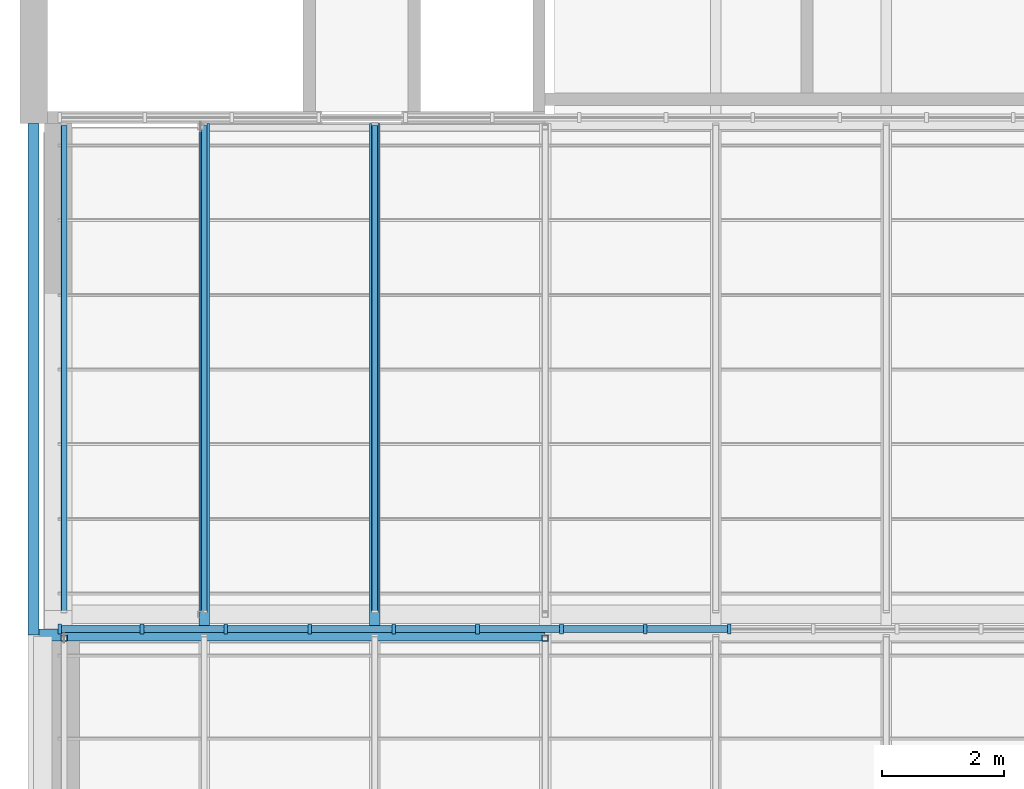
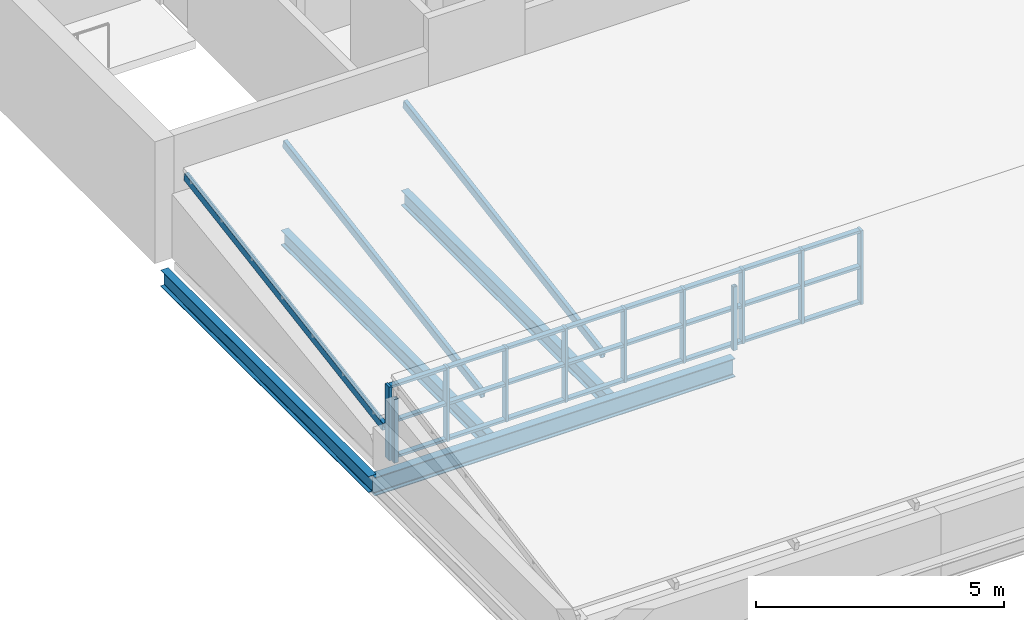
# One storey, part 2 of 33: 38 members, 4 beams, 1 element without a shape of its own.
"""IFC4 building model written with IfcOpenShell, lengths in metres."""

from ifc_helpers import new_model, si_unit, direction, frame, origin, origin_2d, place, context, subcontext, project, spatial, rectangle, hollow_rectangle, i_section, extrude, material, layer, layer_set, material_profile, profile_set, type_object, element, aggregate, save


model = new_model("IFC4")

# Units and contexts
model_context = context("Model", 3, precision=1e-05, world=origin(), true_north=direction((0.0, 1.0)))
body_context = subcontext(model_context, "Body", "Model", "MODEL_VIEW")
ifc_project = project(units=[si_unit("LENGTHUNIT", "METRE"), si_unit("AREAUNIT", "SQUARE_METRE"), si_unit("VOLUMEUNIT", "CUBIC_METRE"), si_unit("PLANEANGLEUNIT", "RADIAN"), si_unit("MASSUNIT", "GRAM", prefix="KILO")], contexts=[model_context])

# Site, building, storey
site_placement = place(None, origin())
site = spatial("IfcSite", under=ifc_project, at=site_placement, CompositionType="ELEMENT")
building_placement = place(site_placement, origin())
building = spatial("IfcBuilding", under=site, at=building_placement, Name="Ardhachandra Cancer Care Centre", CompositionType="ELEMENT")
storey_placement = place(building_placement, frame((0.0, 0.0, 27.0)))
storey = spatial("IfcBuildingStorey", under=building, at=storey_placement, Name="Roof", CompositionType="ELEMENT", Elevation=27.0)

# Beams
ifc_material_1 = material(Name="Steel E350 (IS 2062)", Category="steel")
ifc_material_profile_1 = material_profile(ifc_material_1, i_section(OverallWidth=0.172119140625, OverallDepth=0.364013671875, WebThickness=0.00927734375, FlangeThickness=0.0146484375, FilletRadius=0.01806640625, at=origin_2d()), Name="NPB 350x170x66.04")
ifc_profile_set_1 = profile_set([ifc_material_profile_1], Name="Steel E350 (IS 2062)")
beam_type_1 = type_object("IfcBeamType", Name="Beam NPB 350x170x66.04", PredefinedType="BEAM", material=ifc_profile_set_1)
for number, where, z_axis, x_axis, name in (
    (1, (114.39990234375, 88.2958984375, -0.382080078125), (0.0, 1.0, 0.0), (-1.0, 0.0, 0.0), "Secondary K13-L13@2800"),
    (2, (117.199951171875, 88.2958984375, -0.382080078125), (0.0, 1.0, 0.0), (-1.0, 0.0, 0.0), "Secondary K13-L13@5600"),
):
    element("IfcBeam", number, at=place(storey_placement, frame(where, z_axis=z_axis, x_axis=x_axis)), inside=storey, type_object=beam_type_1, Name=name, PredefinedType="BEAM", context=body_context, shape_type="SweptSolid", body=[
        extrude(i_section(OverallWidth=0.172119140625, OverallDepth=0.364013671875, WebThickness=0.00927734375, FlangeThickness=0.0146484375, FilletRadius=0.01806640625, at=origin_2d()), origin(), (0.0, 0.0, 1.0), 8.30419921875),
    ])
ifc_material_2 = material(Name="Steel E350 (IS 2062)", Category="steel")
ifc_material_profile_2 = material_profile(ifc_material_2, i_section(OverallWidth=0.179931640625, OverallDepth=0.39990234375, WebThickness=0.008544921875, FlangeThickness=0.013427734375, FilletRadius=0.02099609375, at=origin_2d()), Name="NPB 400x180x66.30")
ifc_profile_set_2 = profile_set([ifc_material_profile_2], Name="Steel E350 (IS 2062)")
beam_type_2 = type_object("IfcBeamType", Name="Beam NPB 400x180x66.30", PredefinedType="BEAM", material=ifc_profile_set_2)
beam_1_placement = place(storey_placement, frame((111.60009765625, 88.199951171875, -0.39990234375), z_axis=(0.0, 1.0, 0.0), x_axis=(-1.0, 0.0, 0.0)))
element("IfcBeam", 3, at=beam_1_placement, inside=storey, type_object=beam_type_2, Name="Edge girder K13-L13", PredefinedType="BEAM", context=body_context, shape_type="SweptSolid", body=[
    extrude(i_section(OverallWidth=0.179931640625, OverallDepth=0.39990234375, WebThickness=0.008544921875, FlangeThickness=0.013427734375, FilletRadius=0.02099609375, at=origin_2d()), origin(), (0.0, 0.0, 1.0), 8.400146484375),
])
ifc_material_3 = material(Name="Steel E350 (IS 2062)", Category="steel")
ifc_material_profile_3 = material_profile(ifc_material_3, i_section(OverallWidth=0.19189453125, OverallDepth=0.4560546875, WebThickness=0.010986328125, FlangeThickness=0.017578125, FilletRadius=0.02099609375, at=origin_2d()), Name="NPB 450x190x92.36")
ifc_profile_set_3 = profile_set([ifc_material_profile_3], Name="Steel E350 (IS 2062)")
beam_type_3 = type_object("IfcBeamType", Name="Beam NPB 450x190x92.36", PredefinedType="BEAM", material=ifc_profile_set_3)
beam_2_placement = place(storey_placement, frame((111.60009765625, 88.199951171875, -0.427978515625), z_axis=(1.0, 0.0, 0.0), x_axis=(0.0, 1.0, 0.0)))
element("IfcBeam", 4, at=beam_2_placement, inside=storey, type_object=beam_type_3, Name="Girder K13-K14", PredefinedType="BEAM", context=body_context, shape_type="SweptSolid", body=[
    extrude(i_section(OverallWidth=0.19189453125, OverallDepth=0.4560546875, WebThickness=0.010986328125, FlangeThickness=0.017578125, FilletRadius=0.02099609375, at=origin_2d()), origin(), (0.0, 0.0, 1.0), 8.39990234375),
])

# Curtain wall, members
ifc_material_4 = material(Name="Aluminium extrusion", Category="aluminium")
ifc_layer = layer(ifc_material_4, 0.14990234375)
ifc_layer_set = layer_set([ifc_layer], Name="Aluminium extrusion")
curtain_wall_type = type_object("IfcCurtainWallType", Name="Curtain wall run", PredefinedType="NOTDEFINED", material=ifc_layer_set)
curtain_wall_placement = place(storey_placement, origin())
curtain_wall = element("IfcCurtainWall", 5, at=curtain_wall_placement, inside=storey, type_object=curtain_wall_type, Name="Curtain wall Roof n/0112000_0088300", PredefinedType="NOTDEFINED")
ifc_material_5 = material(Name="Aluminium extrusion", Category="aluminium")
ifc_material_profile_4 = material_profile(ifc_material_5, rectangle(XDim=0.159912109375, YDim=0.06005859375, at=origin_2d()), Name="Curtain wall mullion 60 x 160")
ifc_profile_set_4 = profile_set([ifc_material_profile_4], Name="Aluminium extrusion")
member_type_1 = type_object("IfcMemberType", Name="Curtain wall mullion 60 x 160", PredefinedType="MULLION", material=ifc_profile_set_4)
member_1_placement = place(storey_placement, frame((112.030029296875, 88.300048828125, 0.0), z_axis=(0.0, 0.0, 1.0), x_axis=(0.0, 1.0, 0.0)))
member_1 = element("IfcMember", 6, at=member_1_placement, type_object=member_type_1, Name="CW mullion 1", PredefinedType="MULLION", context=body_context, shape_type="SweptSolid", body=[
    extrude(rectangle(XDim=0.159912109375, YDim=0.06005859375, at=origin_2d()), origin(), (0.0, 0.0, 1.0), 1.820068359375),
])
member_2_placement = place(storey_placement, frame((113.377685546875, 88.300048828125, 0.0), z_axis=(0.0, 0.0, 1.0), x_axis=(0.0, 1.0, 0.0)))
member_2 = element("IfcMember", 7, at=member_2_placement, type_object=member_type_1, Name="CW mullion 2", PredefinedType="MULLION", context=body_context, shape_type="SweptSolid", body=[
    extrude(rectangle(XDim=0.159912109375, YDim=0.06005859375, at=origin_2d()), origin(), (0.0, 0.0, 1.0), 1.820068359375),
])
member_3_placement = place(storey_placement, frame((114.755615234375, 88.300048828125, 0.0), z_axis=(0.0, 0.0, 1.0), x_axis=(0.0, 1.0, 0.0)))
member_3 = element("IfcMember", 8, at=member_3_placement, type_object=member_type_1, Name="CW mullion 3", PredefinedType="MULLION", context=body_context, shape_type="SweptSolid", body=[
    extrude(rectangle(XDim=0.159912109375, YDim=0.06005859375, at=origin_2d()), origin(), (0.0, 0.0, 1.0), 1.820068359375),
])
member_4_placement = place(storey_placement, frame((116.13330078125, 88.300048828125, 0.0), z_axis=(0.0, 0.0, 1.0), x_axis=(0.0, 1.0, 0.0)))
member_4 = element("IfcMember", 9, at=member_4_placement, type_object=member_type_1, Name="CW mullion 4", PredefinedType="MULLION", context=body_context, shape_type="SweptSolid", body=[
    extrude(rectangle(XDim=0.159912109375, YDim=0.06005859375, at=origin_2d()), origin(), (0.0, 0.0, 1.0), 1.820068359375),
])
member_5_placement = place(storey_placement, frame((117.51123046875, 88.300048828125, 0.0), z_axis=(0.0, 0.0, 1.0), x_axis=(0.0, 1.0, 0.0)))
member_5 = element("IfcMember", 10, at=member_5_placement, type_object=member_type_1, Name="CW mullion 5", PredefinedType="MULLION", context=body_context, shape_type="SweptSolid", body=[
    extrude(rectangle(XDim=0.159912109375, YDim=0.06005859375, at=origin_2d()), origin(), (0.0, 0.0, 1.0), 1.820068359375),
])
member_6_placement = place(storey_placement, frame((118.888916015625, 88.300048828125, 0.0), z_axis=(0.0, 0.0, 1.0), x_axis=(0.0, 1.0, 0.0)))
member_6 = element("IfcMember", 11, at=member_6_placement, type_object=member_type_1, Name="CW mullion 6", PredefinedType="MULLION", context=body_context, shape_type="SweptSolid", body=[
    extrude(rectangle(XDim=0.159912109375, YDim=0.06005859375, at=origin_2d()), origin(), (0.0, 0.0, 1.0), 1.820068359375),
])
member_7_placement = place(storey_placement, frame((120.2666015625, 88.300048828125, 0.0), z_axis=(0.0, 0.0, 1.0), x_axis=(0.0, 1.0, 0.0)))
member_7 = element("IfcMember", 12, at=member_7_placement, type_object=member_type_1, Name="CW mullion 7", PredefinedType="MULLION", context=body_context, shape_type="SweptSolid", body=[
    extrude(rectangle(XDim=0.159912109375, YDim=0.06005859375, at=origin_2d()), origin(), (0.0, 0.0, 1.0), 1.820068359375),
])
member_8_placement = place(storey_placement, frame((121.64453125, 88.300048828125, 0.0), z_axis=(0.0, 0.0, 1.0), x_axis=(0.0, 1.0, 0.0)))
member_8 = element("IfcMember", 13, at=member_8_placement, type_object=member_type_1, Name="CW mullion 8", PredefinedType="MULLION", context=body_context, shape_type="SweptSolid", body=[
    extrude(rectangle(XDim=0.159912109375, YDim=0.06005859375, at=origin_2d()), origin(), (0.0, 0.0, 1.0), 1.820068359375),
])
member_9_placement = place(storey_placement, frame((123.022216796875, 88.300048828125, 0.0), z_axis=(0.0, 0.0, 1.0), x_axis=(0.0, 1.0, 0.0)))
member_9 = element("IfcMember", 14, at=member_9_placement, type_object=member_type_1, Name="CW mullion 9", PredefinedType="MULLION", context=body_context, shape_type="SweptSolid", body=[
    extrude(rectangle(XDim=0.159912109375, YDim=0.06005859375, at=origin_2d()), origin(), (0.0, 0.0, 1.0), 1.820068359375),
])
ifc_material_6 = material(Name="Aluminium extrusion", Category="aluminium")
ifc_material_profile_5 = material_profile(ifc_material_6, rectangle(XDim=0.1201171875, YDim=0.06005859375, at=origin_2d()), Name="Curtain wall transom 60 x 120")
ifc_profile_set_5 = profile_set([ifc_material_profile_5], Name="Aluminium extrusion")
member_type_2 = type_object("IfcMemberType", Name="Curtain wall transom 60 x 120", PredefinedType="USERDEFINED", material=ifc_profile_set_5)
member_10_placement = place(storey_placement, frame((112.06005859375, 88.300048828125, 0.030029296875), z_axis=(1.0, 0.0, 0.0), x_axis=(0.0, 1.0, 0.0)))
member_10 = element("IfcMember", 15, at=member_10_placement, type_object=member_type_2, Name="CW transom 1.1", ObjectType="TRANSOM", PredefinedType="USERDEFINED", context=body_context, shape_type="SweptSolid", body=[
    extrude(rectangle(XDim=0.1201171875, YDim=0.06005859375, at=origin_2d()), origin(), (0.0, 0.0, 1.0), 1.28759765625),
])
member_11_placement = place(storey_placement, frame((112.06005859375, 88.300048828125, 0.909912109375), z_axis=(1.0, 0.0, 0.0), x_axis=(0.0, 1.0, 0.0)))
member_11 = element("IfcMember", 16, at=member_11_placement, type_object=member_type_2, Name="CW transom 1.2", ObjectType="TRANSOM", PredefinedType="USERDEFINED", context=body_context, shape_type="SweptSolid", body=[
    extrude(rectangle(XDim=0.1201171875, YDim=0.06005859375, at=origin_2d()), origin(), (0.0, 0.0, 1.0), 1.28759765625),
])
member_12_placement = place(storey_placement, frame((112.06005859375, 88.300048828125, 1.7900390625), z_axis=(1.0, 0.0, 0.0), x_axis=(0.0, 1.0, 0.0)))
member_12 = element("IfcMember", 17, at=member_12_placement, type_object=member_type_2, Name="CW transom 1.3", ObjectType="TRANSOM", PredefinedType="USERDEFINED", context=body_context, shape_type="SweptSolid", body=[
    extrude(rectangle(XDim=0.1201171875, YDim=0.06005859375, at=origin_2d()), origin(), (0.0, 0.0, 1.0), 1.28759765625),
])
member_13_placement = place(storey_placement, frame((113.40771484375, 88.300048828125, 0.030029296875), z_axis=(1.0, 0.0, 0.0), x_axis=(0.0, 1.0, 0.0)))
member_13 = element("IfcMember", 18, at=member_13_placement, type_object=member_type_2, Name="CW transom 2.1", ObjectType="TRANSOM", PredefinedType="USERDEFINED", context=body_context, shape_type="SweptSolid", body=[
    extrude(rectangle(XDim=0.1201171875, YDim=0.06005859375, at=origin_2d()), origin(), (0.0, 0.0, 1.0), 1.31787109375),
])
member_14_placement = place(storey_placement, frame((113.40771484375, 88.300048828125, 0.909912109375), z_axis=(1.0, 0.0, 0.0), x_axis=(0.0, 1.0, 0.0)))
member_14 = element("IfcMember", 19, at=member_14_placement, type_object=member_type_2, Name="CW transom 2.2", ObjectType="TRANSOM", PredefinedType="USERDEFINED", context=body_context, shape_type="SweptSolid", body=[
    extrude(rectangle(XDim=0.1201171875, YDim=0.06005859375, at=origin_2d()), origin(), (0.0, 0.0, 1.0), 1.31787109375),
])
member_15_placement = place(storey_placement, frame((113.40771484375, 88.300048828125, 1.7900390625), z_axis=(1.0, 0.0, 0.0), x_axis=(0.0, 1.0, 0.0)))
member_15 = element("IfcMember", 20, at=member_15_placement, type_object=member_type_2, Name="CW transom 2.3", ObjectType="TRANSOM", PredefinedType="USERDEFINED", context=body_context, shape_type="SweptSolid", body=[
    extrude(rectangle(XDim=0.1201171875, YDim=0.06005859375, at=origin_2d()), origin(), (0.0, 0.0, 1.0), 1.31787109375),
])
member_16_placement = place(storey_placement, frame((114.78564453125, 88.300048828125, 0.030029296875), z_axis=(1.0, 0.0, 0.0), x_axis=(0.0, 1.0, 0.0)))
member_16 = element("IfcMember", 21, at=member_16_placement, type_object=member_type_2, Name="CW transom 3.1", ObjectType="TRANSOM", PredefinedType="USERDEFINED", context=body_context, shape_type="SweptSolid", body=[
    extrude(rectangle(XDim=0.1201171875, YDim=0.06005859375, at=origin_2d()), origin(), (0.0, 0.0, 1.0), 1.317626953125),
])
member_17_placement = place(storey_placement, frame((114.78564453125, 88.300048828125, 0.909912109375), z_axis=(1.0, 0.0, 0.0), x_axis=(0.0, 1.0, 0.0)))
member_17 = element("IfcMember", 22, at=member_17_placement, type_object=member_type_2, Name="CW transom 3.2", ObjectType="TRANSOM", PredefinedType="USERDEFINED", context=body_context, shape_type="SweptSolid", body=[
    extrude(rectangle(XDim=0.1201171875, YDim=0.06005859375, at=origin_2d()), origin(), (0.0, 0.0, 1.0), 1.317626953125),
])
member_18_placement = place(storey_placement, frame((114.78564453125, 88.300048828125, 1.7900390625), z_axis=(1.0, 0.0, 0.0), x_axis=(0.0, 1.0, 0.0)))
member_18 = element("IfcMember", 23, at=member_18_placement, type_object=member_type_2, Name="CW transom 3.3", ObjectType="TRANSOM", PredefinedType="USERDEFINED", context=body_context, shape_type="SweptSolid", body=[
    extrude(rectangle(XDim=0.1201171875, YDim=0.06005859375, at=origin_2d()), origin(), (0.0, 0.0, 1.0), 1.317626953125),
])
member_19_placement = place(storey_placement, frame((116.163330078125, 88.300048828125, 0.030029296875), z_axis=(1.0, 0.0, 0.0), x_axis=(0.0, 1.0, 0.0)))
member_19 = element("IfcMember", 24, at=member_19_placement, type_object=member_type_2, Name="CW transom 4.1", ObjectType="TRANSOM", PredefinedType="USERDEFINED", context=body_context, shape_type="SweptSolid", body=[
    extrude(rectangle(XDim=0.1201171875, YDim=0.06005859375, at=origin_2d()), origin(), (0.0, 0.0, 1.0), 1.31787109375),
])
member_20_placement = place(storey_placement, frame((116.163330078125, 88.300048828125, 0.909912109375), z_axis=(1.0, 0.0, 0.0), x_axis=(0.0, 1.0, 0.0)))
member_20 = element("IfcMember", 25, at=member_20_placement, type_object=member_type_2, Name="CW transom 4.2", ObjectType="TRANSOM", PredefinedType="USERDEFINED", context=body_context, shape_type="SweptSolid", body=[
    extrude(rectangle(XDim=0.1201171875, YDim=0.06005859375, at=origin_2d()), origin(), (0.0, 0.0, 1.0), 1.31787109375),
])
member_21_placement = place(storey_placement, frame((116.163330078125, 88.300048828125, 1.7900390625), z_axis=(1.0, 0.0, 0.0), x_axis=(0.0, 1.0, 0.0)))
member_21 = element("IfcMember", 26, at=member_21_placement, type_object=member_type_2, Name="CW transom 4.3", ObjectType="TRANSOM", PredefinedType="USERDEFINED", context=body_context, shape_type="SweptSolid", body=[
    extrude(rectangle(XDim=0.1201171875, YDim=0.06005859375, at=origin_2d()), origin(), (0.0, 0.0, 1.0), 1.31787109375),
])
member_22_placement = place(storey_placement, frame((117.541015625, 88.300048828125, 0.030029296875), z_axis=(1.0, 0.0, 0.0), x_axis=(0.0, 1.0, 0.0)))
member_22 = element("IfcMember", 27, at=member_22_placement, type_object=member_type_2, Name="CW transom 5.1", ObjectType="TRANSOM", PredefinedType="USERDEFINED", context=body_context, shape_type="SweptSolid", body=[
    extrude(rectangle(XDim=0.1201171875, YDim=0.06005859375, at=origin_2d()), origin(), (0.0, 0.0, 1.0), 1.31787109375),
])
member_23_placement = place(storey_placement, frame((117.541015625, 88.300048828125, 0.909912109375), z_axis=(1.0, 0.0, 0.0), x_axis=(0.0, 1.0, 0.0)))
member_23 = element("IfcMember", 28, at=member_23_placement, type_object=member_type_2, Name="CW transom 5.2", ObjectType="TRANSOM", PredefinedType="USERDEFINED", context=body_context, shape_type="SweptSolid", body=[
    extrude(rectangle(XDim=0.1201171875, YDim=0.06005859375, at=origin_2d()), origin(), (0.0, 0.0, 1.0), 1.31787109375),
])
member_24_placement = place(storey_placement, frame((117.541015625, 88.300048828125, 1.7900390625), z_axis=(1.0, 0.0, 0.0), x_axis=(0.0, 1.0, 0.0)))
member_24 = element("IfcMember", 29, at=member_24_placement, type_object=member_type_2, Name="CW transom 5.3", ObjectType="TRANSOM", PredefinedType="USERDEFINED", context=body_context, shape_type="SweptSolid", body=[
    extrude(rectangle(XDim=0.1201171875, YDim=0.06005859375, at=origin_2d()), origin(), (0.0, 0.0, 1.0), 1.31787109375),
])
member_25_placement = place(storey_placement, frame((118.9189453125, 88.300048828125, 0.030029296875), z_axis=(1.0, 0.0, 0.0), x_axis=(0.0, 1.0, 0.0)))
member_25 = element("IfcMember", 30, at=member_25_placement, type_object=member_type_2, Name="CW transom 6.1", ObjectType="TRANSOM", PredefinedType="USERDEFINED", context=body_context, shape_type="SweptSolid", body=[
    extrude(rectangle(XDim=0.1201171875, YDim=0.06005859375, at=origin_2d()), origin(), (0.0, 0.0, 1.0), 1.317626953125),
])
member_26_placement = place(storey_placement, frame((118.9189453125, 88.300048828125, 0.909912109375), z_axis=(1.0, 0.0, 0.0), x_axis=(0.0, 1.0, 0.0)))
member_26 = element("IfcMember", 31, at=member_26_placement, type_object=member_type_2, Name="CW transom 6.2", ObjectType="TRANSOM", PredefinedType="USERDEFINED", context=body_context, shape_type="SweptSolid", body=[
    extrude(rectangle(XDim=0.1201171875, YDim=0.06005859375, at=origin_2d()), origin(), (0.0, 0.0, 1.0), 1.317626953125),
])
member_27_placement = place(storey_placement, frame((118.9189453125, 88.300048828125, 1.7900390625), z_axis=(1.0, 0.0, 0.0), x_axis=(0.0, 1.0, 0.0)))
member_27 = element("IfcMember", 32, at=member_27_placement, type_object=member_type_2, Name="CW transom 6.3", ObjectType="TRANSOM", PredefinedType="USERDEFINED", context=body_context, shape_type="SweptSolid", body=[
    extrude(rectangle(XDim=0.1201171875, YDim=0.06005859375, at=origin_2d()), origin(), (0.0, 0.0, 1.0), 1.317626953125),
])
member_28_placement = place(storey_placement, frame((120.296630859375, 88.300048828125, 0.030029296875), z_axis=(1.0, 0.0, 0.0), x_axis=(0.0, 1.0, 0.0)))
member_28 = element("IfcMember", 33, at=member_28_placement, type_object=member_type_2, Name="CW transom 7.1", ObjectType="TRANSOM", PredefinedType="USERDEFINED", context=body_context, shape_type="SweptSolid", body=[
    extrude(rectangle(XDim=0.1201171875, YDim=0.06005859375, at=origin_2d()), origin(), (0.0, 0.0, 1.0), 1.31787109375),
])
member_29_placement = place(storey_placement, frame((120.296630859375, 88.300048828125, 0.909912109375), z_axis=(1.0, 0.0, 0.0), x_axis=(0.0, 1.0, 0.0)))
member_29 = element("IfcMember", 34, at=member_29_placement, type_object=member_type_2, Name="CW transom 7.2", ObjectType="TRANSOM", PredefinedType="USERDEFINED", context=body_context, shape_type="SweptSolid", body=[
    extrude(rectangle(XDim=0.1201171875, YDim=0.06005859375, at=origin_2d()), origin(), (0.0, 0.0, 1.0), 1.31787109375),
])
member_30_placement = place(storey_placement, frame((120.296630859375, 88.300048828125, 1.7900390625), z_axis=(1.0, 0.0, 0.0), x_axis=(0.0, 1.0, 0.0)))
member_30 = element("IfcMember", 35, at=member_30_placement, type_object=member_type_2, Name="CW transom 7.3", ObjectType="TRANSOM", PredefinedType="USERDEFINED", context=body_context, shape_type="SweptSolid", body=[
    extrude(rectangle(XDim=0.1201171875, YDim=0.06005859375, at=origin_2d()), origin(), (0.0, 0.0, 1.0), 1.31787109375),
])
member_31_placement = place(storey_placement, frame((121.674560546875, 88.300048828125, 0.030029296875), z_axis=(1.0, 0.0, 0.0), x_axis=(0.0, 1.0, 0.0)))
member_31 = element("IfcMember", 36, at=member_31_placement, type_object=member_type_2, Name="CW transom 8.1", ObjectType="TRANSOM", PredefinedType="USERDEFINED", context=body_context, shape_type="SweptSolid", body=[
    extrude(rectangle(XDim=0.1201171875, YDim=0.06005859375, at=origin_2d()), origin(), (0.0, 0.0, 1.0), 1.317626953125),
])
member_32_placement = place(storey_placement, frame((121.674560546875, 88.300048828125, 0.909912109375), z_axis=(1.0, 0.0, 0.0), x_axis=(0.0, 1.0, 0.0)))
member_32 = element("IfcMember", 37, at=member_32_placement, type_object=member_type_2, Name="CW transom 8.2", ObjectType="TRANSOM", PredefinedType="USERDEFINED", context=body_context, shape_type="SweptSolid", body=[
    extrude(rectangle(XDim=0.1201171875, YDim=0.06005859375, at=origin_2d()), origin(), (0.0, 0.0, 1.0), 1.317626953125),
])
member_33_placement = place(storey_placement, frame((121.674560546875, 88.300048828125, 1.7900390625), z_axis=(1.0, 0.0, 0.0), x_axis=(0.0, 1.0, 0.0)))
member_33 = element("IfcMember", 38, at=member_33_placement, type_object=member_type_2, Name="CW transom 8.3", ObjectType="TRANSOM", PredefinedType="USERDEFINED", context=body_context, shape_type="SweptSolid", body=[
    extrude(rectangle(XDim=0.1201171875, YDim=0.06005859375, at=origin_2d()), origin(), (0.0, 0.0, 1.0), 1.317626953125),
])
aggregate(curtain_wall, [member_1, member_2, member_3, member_4, member_5, member_6, member_7, member_8, member_9, member_10, member_11, member_12, member_13, member_14, member_15, member_16, member_17, member_18, member_19, member_20, member_21, member_22, member_23, member_24, member_25, member_26, member_27, member_28, member_29, member_30, member_31, member_32, member_33])

# Members
ifc_material_7 = material(Name="Steel E350 (IS 2062)", Category="steel")
ifc_material_profile_6 = material_profile(ifc_material_7, hollow_rectangle(XDim=0.10009765625, YDim=0.199951171875, WallThickness=0.006103515625, InnerFilletRadius=0.006103515625, OuterFilletRadius=0.011962890625, at=origin_2d()), Name="RHS 200x100x6.0")
ifc_profile_set_6 = profile_set([ifc_material_profile_6], Name="Steel E350 (IS 2062)")
member_type_3 = type_object("IfcMemberType", Name="Roof rafter RHS 200x100x6.0", PredefinedType="RAFTER", material=ifc_profile_set_6)
for number, where, z_axis, x_axis, name in (
    (39, (112.10009765625, 88.583740234375, 0.5986328125), (0.0, 0.986657936602, 0.162806990454), (-1.0, 0.0, 0.0), "Rafter ST2a.1"),
    (40, (114.39990234375, 88.583740234375, 0.5986328125), (0.0, 0.986657936602, 0.162806990454), (-1.0, 0.0, 0.0), "Rafter ST2a.2"),
    (41, (117.199951171875, 88.583740234375, 0.5986328125), (0.0, 0.986657936602, 0.162806990454), (-1.0, 0.0, 0.0), "Rafter ST2a.3"),
):
    element("IfcMember", number, at=place(storey_placement, frame(where, z_axis=z_axis, x_axis=x_axis)), inside=storey, type_object=member_type_3, Name=name, PredefinedType="RAFTER", context=body_context, shape_type="SweptSolid", body=[
        extrude(hollow_rectangle(XDim=0.10009765625, YDim=0.199951171875, WallThickness=0.006103515625, InnerFilletRadius=0.006103515625, OuterFilletRadius=0.011962890625, at=origin_2d()), origin(), (0.0, 0.0, 1.0), 8.108154296875),
    ])
ifc_material_8 = material(Name="Steel E350 (IS 2062)", Category="steel")
ifc_material_profile_7 = material_profile(ifc_material_8, hollow_rectangle(XDim=0.10009765625, YDim=0.10009765625, WallThickness=0.0048828125, InnerFilletRadius=0.0048828125, OuterFilletRadius=0.010009765625, at=origin_2d()), Name="SHS 100x100x5.0")
ifc_profile_set_7 = profile_set([ifc_material_profile_7], Name="Steel E350 (IS 2062)")
member_type_4 = type_object("IfcMemberType", Name="Sawtooth ridge post SHS 100x100x5.0", PredefinedType="POST", material=ifc_profile_set_7)
for number, where, z_axis, x_axis, name in (
    (42, (112.10009765625, 88.14990234375, 0.0), (0.0, 0.0, 1.0), (1.0, 0.0, 0.0), "Ridge post ST1a.1"),
    (43, (120.0, 88.14990234375, 0.0), (0.0, 0.0, 1.0), (1.0, 0.0, 0.0), "Ridge post ST1a.2"),
):
    element("IfcMember", number, at=place(storey_placement, frame(where, z_axis=z_axis, x_axis=x_axis)), inside=storey, type_object=member_type_4, Name=name, PredefinedType="POST", context=body_context, shape_type="SweptSolid", body=[
        extrude(hollow_rectangle(XDim=0.10009765625, YDim=0.10009765625, WallThickness=0.0048828125, InnerFilletRadius=0.0048828125, OuterFilletRadius=0.010009765625, at=origin_2d()), origin(), (0.0, 0.0, 1.0), 1.569091796875),
    ])

save(model, "model.ifc")
